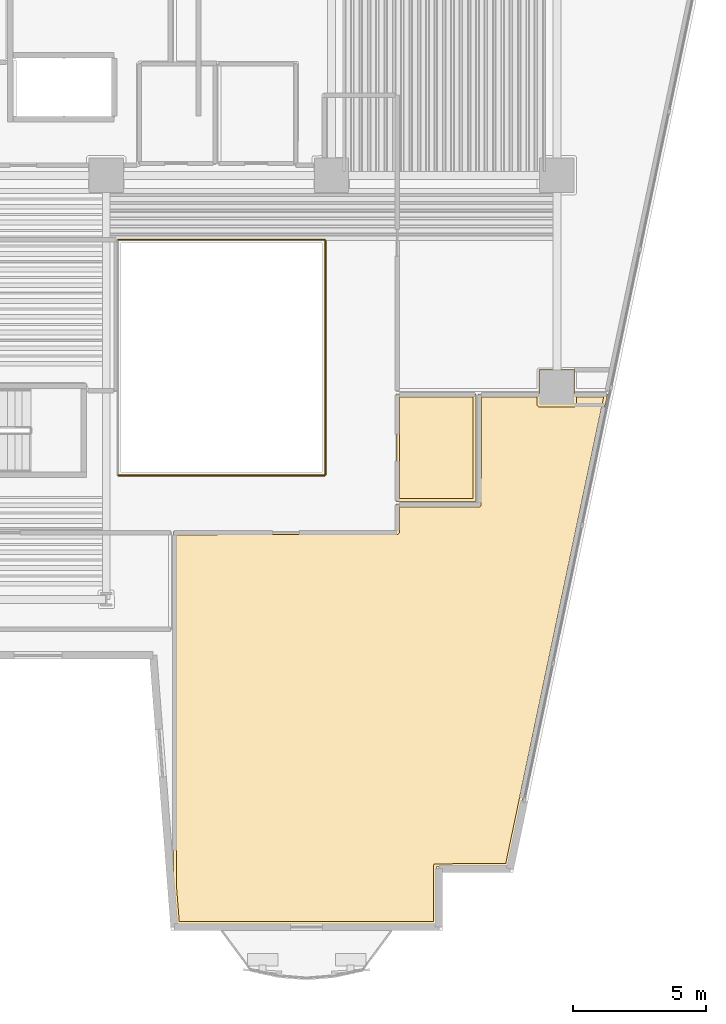
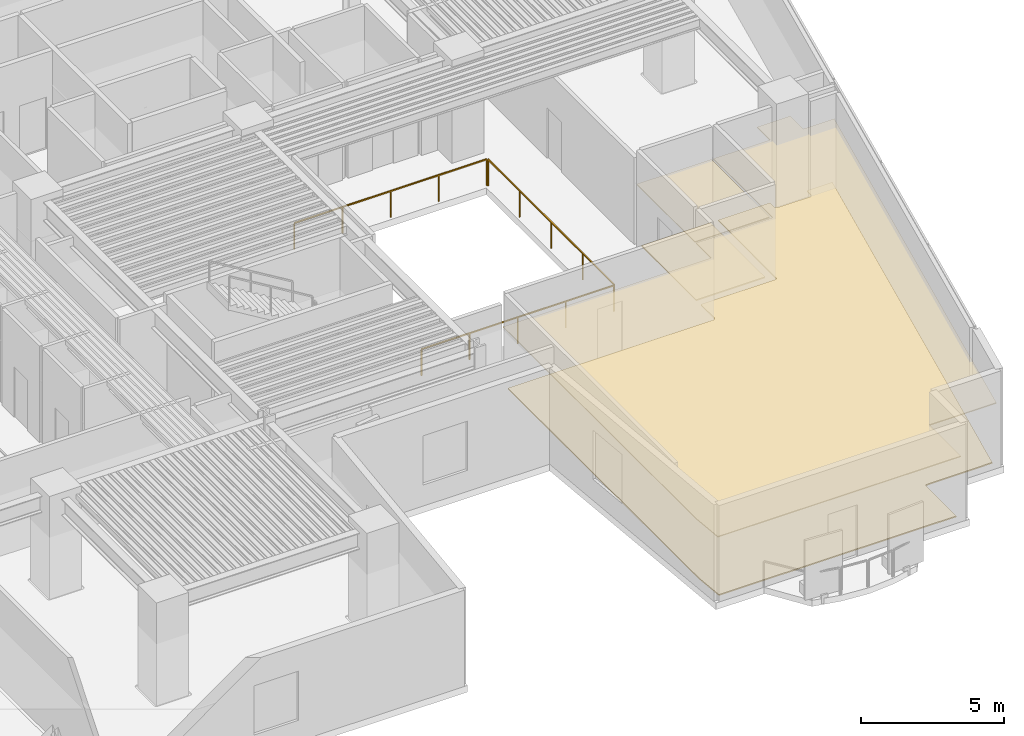
# One storey, part 10 of 12: 4 coverings, 3 railings.
"""IFC4 building model written with IfcOpenShell, lengths in metres."""

from ifc_helpers import new_model, si_unit, direction, frame, origin, origin_2d, place, context, subcontext, project, spatial, polyline, rectangle, outline, extrude, material, layer, layer_set, type_object, element, save


model = new_model("IFC4")

# Units and contexts
model_context = context("Model", 3, precision=1e-05, world=origin(), true_north=direction((0.0, 1.0)))
body_context = subcontext(model_context, "Body", "Model", "MODEL_VIEW")
ifc_project = project(units=[si_unit("LENGTHUNIT", "METRE"), si_unit("AREAUNIT", "SQUARE_METRE"), si_unit("VOLUMEUNIT", "CUBIC_METRE"), si_unit("PLANEANGLEUNIT", "RADIAN"), si_unit("MASSUNIT", "GRAM", prefix="KILO")], contexts=[model_context])

# Site, building, storey
site_placement = place(None, origin())
site = spatial("IfcSite", under=ifc_project, at=site_placement, CompositionType="ELEMENT")
building_placement = place(site_placement, origin())
building = spatial("IfcBuilding", under=site, at=building_placement, Name="Caeloran Harvest Quay", CompositionType="ELEMENT")
storey_placement = place(building_placement, frame((0.0, 0.0, 97.39990234375)))
storey = spatial("IfcBuildingStorey", under=building, at=storey_placement, Name="L22", CompositionType="ELEMENT", Elevation=97.39990234375)

# Coverings
ifc_material_1 = material(Name="Perforated Mineral-Fibre Acoustic Ceiling Tile", Category="ceiling")
ifc_layer_1 = layer(ifc_material_1, 0.0400390625, Name="Perforated Mineral-Fibre Acoustic Ceiling Tile")
ifc_layer_set_1 = layer_set([ifc_layer_1], Name="Perforated Mineral-Fibre Acoustic Ceiling Tile")
covering_type_1 = type_object("IfcCoveringType", Name="COV-CEILING-ACOUSTIC", PredefinedType="CEILING", material=ifc_layer_set_1)
covering_1_placement = place(storey_placement, frame((0.0, 0.0, 2.60009765625)))
element("IfcCovering", 1, at=covering_1_placement, inside=storey, type_object=covering_type_1, Name="Biophilic Architecture Atelier Acoustic Ceiling", PredefinedType="CEILING", context=body_context, shape_type="SweptSolid", body=[
    extrude(outline(polyline([(44.93994140625, 17.56005859375), (44.93994140625, 18.610107421875), (48.0400390625, 18.610107421875), (48.0400390625, 22.760009765625), (50.330078125, 22.760009765625), (50.330078125, 23.669921875), (51.669921875, 23.669921875), (51.669921875, 22.760009765625), (52.918212890625, 22.760009765625), (49.170654296875, 4.919921875), (46.467041015625, 4.919921875), (46.467041015625, 2.719970703125), (36.64404296875, 2.719970703125), (36.5400390625, 4.052490234375), (36.5400390625, 17.56005859375), (44.93994140625, 17.56005859375)])), origin(), (0.0, 0.0, 1.0), 0.0400390625),
])
covering_2_placement = place(storey_placement, frame((0.0, 0.0, 2.60009765625)))
element("IfcCovering", 2, at=covering_2_placement, inside=storey, type_object=covering_type_1, Name="Principal Partner Office Acoustic Ceiling", PredefinedType="CEILING", context=body_context, shape_type="SweptSolid", body=[
    extrude(outline(polyline([(44.93994140625, 18.68994140625), (44.93994140625, 22.760009765625), (47.9599609375, 22.760009765625), (47.9599609375, 18.68994140625), (44.93994140625, 18.68994140625)])), origin(), (0.0, 0.0, 1.0), 0.0400390625),
])
ifc_material_2 = material(Name="Calcium-Sulphate Raised Access Floor and Terrazzo Finish", Category="flooring")
ifc_layer_2 = layer(ifc_material_2, 0.050048828125, Name="Calcium-Sulphate Raised Access Floor and Terrazzo Finish")
ifc_layer_set_2 = layer_set([ifc_layer_2], Name="Calcium-Sulphate Raised Access Floor and Terrazzo Finish")
covering_type_2 = type_object("IfcCoveringType", Name="COV-FLOOR-RAISED", PredefinedType="FLOORING", material=ifc_layer_set_2)
covering_3_placement = place(storey_placement, origin())
element("IfcCovering", 3, at=covering_3_placement, inside=storey, type_object=covering_type_2, Name="Biophilic Architecture Atelier Raised Finish Flooring", PredefinedType="FLOORING", context=body_context, shape_type="SweptSolid", body=[
    extrude(outline(polyline([(36.659912109375, 17.43994140625), (45.003173828125, 17.443359375), (45.0595703125, 17.51220703125), (45.06005859375, 18.489990234375), (48.080078125, 18.489990234375), (48.146484375, 18.525634765625), (48.159912109375, 22.639892578125), (50.2548828125, 22.639892578125), (50.256591796875, 22.3193359375), (50.3349609375, 22.2548828125), (51.6806640625, 22.256591796875), (51.743408203125, 22.3193359375), (51.7451171875, 22.639892578125), (52.7705078125, 22.639892578125), (49.0732421875, 5.0400390625), (46.376220703125, 5.021728515625), (46.346923828125, 4.9599609375), (46.346923828125, 2.840087890625), (36.7548828125, 2.840087890625), (36.659912109375, 4.05712890625), (36.659912109375, 17.43994140625)])), origin(), (0.0, 0.0, 1.0), 0.050048828125),
])
covering_4_placement = place(storey_placement, origin())
element("IfcCovering", 4, at=covering_4_placement, inside=storey, type_object=covering_type_2, Name="Principal Partner Office Raised Finish Flooring", PredefinedType="FLOORING", context=body_context, shape_type="SweptSolid", body=[
    extrude(outline(polyline([(45.06005859375, 18.81005859375), (45.06005859375, 22.639892578125), (47.840087890625, 22.639892578125), (47.840087890625, 18.81005859375), (45.06005859375, 18.81005859375)])), origin(), (0.0, 0.0, 1.0), 0.050048828125),
])

# Railings
ifc_material_3 = material(Name="Powder-Coated Steel Post and Laminated Glass Guardrail", Category="steel")
ifc_layer_3 = layer(ifc_material_3, 0.06005859375, Name="Powder-Coated Steel Post and Laminated Glass Guardrail")
ifc_layer_set_3 = layer_set([ifc_layer_3], Name="Powder-Coated Steel Post and Laminated Glass Guardrail")
railing_type = type_object("IfcRailingType", Name="GUARD-ATRIUM-1150", PredefinedType="GUARDRAIL", material=ifc_layer_set_3)
railing_1_placement = place(storey_placement, frame((34.4619140625, 19.679931640625, 0.0)))
element("IfcRailing", 5, at=railing_1_placement, inside=storey, type_object=railing_type, Name="L22 East Botanical Lightwell Guardrail Seg 1", PredefinedType="GUARDRAIL", context=body_context, shape_type="SweptSolid", body=[
    extrude(rectangle(XDim=0.048095703125, YDim=0.048095703125, at=origin_2d()), frame((0.0, 0.0, 1.1259765625), z_axis=(1.0, 0.0, 0.0), x_axis=(0.0, 1.0, 0.0)), (0.0, 0.0, 1.0), 7.776123046875),
    extrude(rectangle(XDim=0.0419921875, YDim=0.0419921875, at=origin_2d()), origin(), (0.0, 0.0, 1.0), 1.101806640625),
    extrude(rectangle(XDim=0.0419921875, YDim=0.0419921875, at=origin_2d()), frame((1.944091796875, 0.0, 0.0)), (0.0, 0.0, 1.0), 1.101806640625),
    extrude(rectangle(XDim=0.0419921875, YDim=0.0419921875, at=origin_2d()), frame((3.88818359375, 0.0, 0.0)), (0.0, 0.0, 1.0), 1.101806640625),
    extrude(rectangle(XDim=0.0419921875, YDim=0.0419921875, at=origin_2d()), frame((5.83203125, 0.0, 0.0)), (0.0, 0.0, 1.0), 1.101806640625),
    extrude(rectangle(XDim=0.0419921875, YDim=0.0419921875, at=origin_2d()), frame((7.776123046875, 0.0, 0.0)), (0.0, 0.0, 1.0), 1.101806640625),
])
railing_2_placement = place(storey_placement, frame((42.27001953125, 19.7119140625, 0.0)))
element("IfcRailing", 6, at=railing_2_placement, inside=storey, type_object=railing_type, Name="L22 East Botanical Lightwell Guardrail Seg 2", PredefinedType="GUARDRAIL", context=body_context, shape_type="SweptSolid", body=[
    extrude(rectangle(XDim=0.048095703125, YDim=0.048095703125, at=origin_2d()), frame((0.0, 0.0, 1.1259765625), z_axis=(0.0, 1.0, 0.0), x_axis=(-1.0, 0.0, 0.0)), (0.0, 0.0, 1.0), 8.826171875),
    extrude(rectangle(XDim=0.0419921875, YDim=0.0419921875, at=origin_2d()), origin(), (0.0, 0.0, 1.0), 1.101806640625),
    extrude(rectangle(XDim=0.0419921875, YDim=0.0419921875, at=origin_2d()), frame((0.0, 2.20654296875, 0.0)), (0.0, 0.0, 1.0), 1.101806640625),
    extrude(rectangle(XDim=0.0419921875, YDim=0.0419921875, at=origin_2d()), frame((0.0, 4.4130859375, 0.0)), (0.0, 0.0, 1.0), 1.101806640625),
    extrude(rectangle(XDim=0.0419921875, YDim=0.0419921875, at=origin_2d()), frame((0.0, 6.61962890625, 0.0)), (0.0, 0.0, 1.0), 1.101806640625),
    extrude(rectangle(XDim=0.0419921875, YDim=0.0419921875, at=origin_2d()), frame((0.0, 8.826171875, 0.0)), (0.0, 0.0, 1.0), 1.101806640625),
])
railing_3_placement = place(storey_placement, frame((42.238037109375, 28.570068359375, 0.0)))
element("IfcRailing", 7, at=railing_3_placement, inside=storey, type_object=railing_type, Name="L22 East Botanical Lightwell Guardrail Seg 3", PredefinedType="GUARDRAIL", context=body_context, shape_type="SweptSolid", body=[
    extrude(rectangle(XDim=0.048095703125, YDim=0.048095703125, at=origin_2d()), frame((0.0, 0.0, 1.1259765625), z_axis=(-1.0, 0.0, 0.0), x_axis=(0.0, -1.0, 0.0)), (0.0, 0.0, 1.0), 7.776123046875),
    extrude(rectangle(XDim=0.0419921875, YDim=0.0419921875, at=origin_2d()), origin(), (0.0, 0.0, 1.0), 1.101806640625),
    extrude(rectangle(XDim=0.0419921875, YDim=0.0419921875, at=origin_2d()), frame((-1.944091796875, 0.0, 0.0)), (0.0, 0.0, 1.0), 1.101806640625),
    extrude(rectangle(XDim=0.0419921875, YDim=0.0419921875, at=origin_2d()), frame((-3.88818359375, 0.0, 0.0)), (0.0, 0.0, 1.0), 1.101806640625),
    extrude(rectangle(XDim=0.0419921875, YDim=0.0419921875, at=origin_2d()), frame((-5.83203125, 0.0, 0.0)), (0.0, 0.0, 1.0), 1.101806640625),
    extrude(rectangle(XDim=0.0419921875, YDim=0.0419921875, at=origin_2d()), frame((-7.776123046875, 0.0, 0.0)), (0.0, 0.0, 1.0), 1.101806640625),
])

save(model, "model.ifc")
